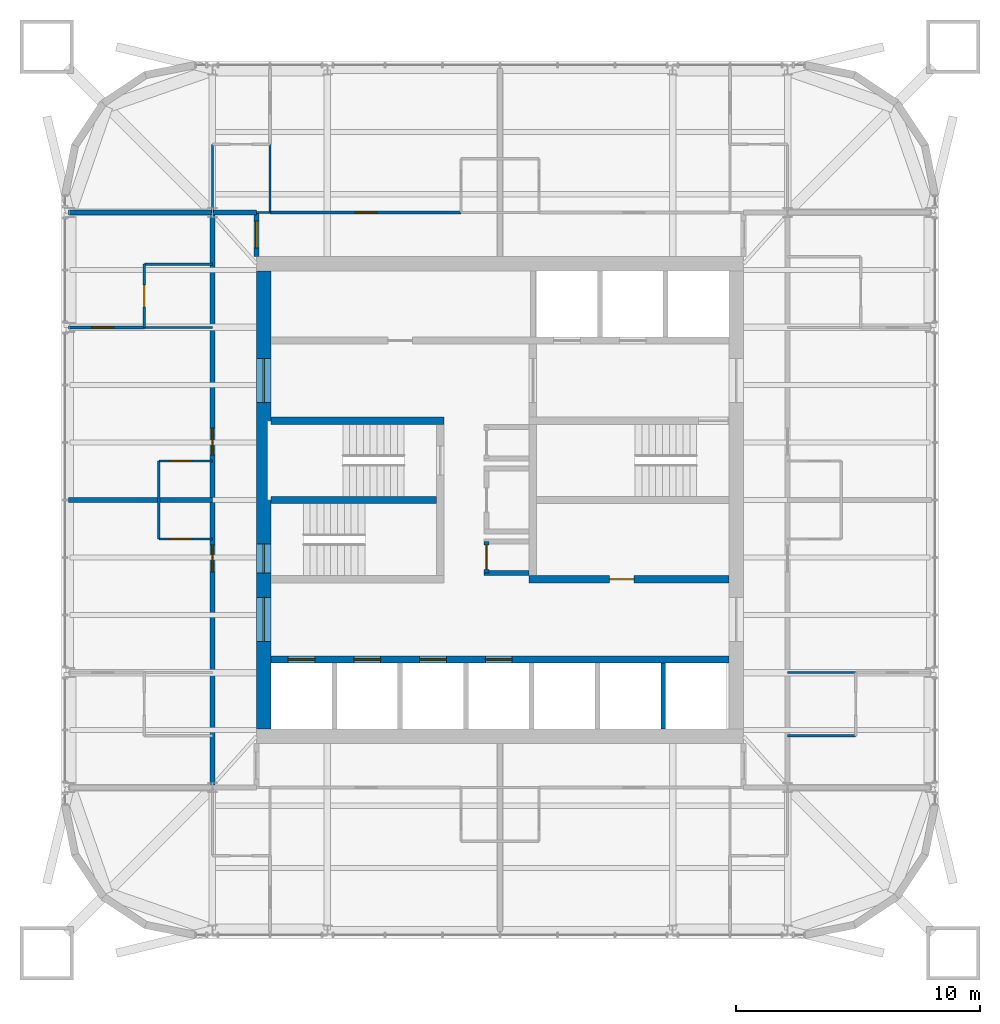
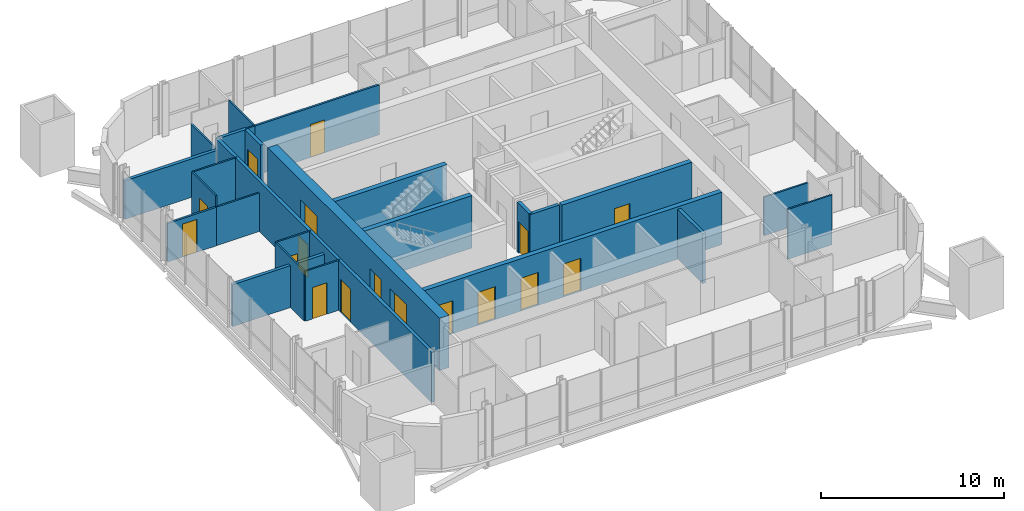
# One storey, part 13 of 16: 26 walls, 17 doors, 17 openings.
"""IFC4 building model written with IfcOpenShell, lengths in metres."""

from ifc_helpers import new_model, si_unit, direction, frame, frame_2d, origin, place, context, subcontext, project, spatial, rectangle, extrude, material, layer, layer_set, type_object, element, fill, save


model = new_model("IFC4")

# Units and contexts
model_context = context("Model", 3, precision=1e-05, world=origin(), true_north=direction((0.0, 1.0)))
body_context = subcontext(model_context, "Body", "Model", "MODEL_VIEW")
ifc_project = project(units=[si_unit("LENGTHUNIT", "METRE"), si_unit("AREAUNIT", "SQUARE_METRE"), si_unit("VOLUMEUNIT", "CUBIC_METRE"), si_unit("PLANEANGLEUNIT", "RADIAN"), si_unit("MASSUNIT", "GRAM", prefix="KILO")], contexts=[model_context])

# Site, building, storey
site_placement = place(None, origin())
site = spatial("IfcSite", under=ifc_project, at=site_placement, CompositionType="ELEMENT")
building_placement = place(site_placement, origin())
building = spatial("IfcBuilding", under=site, at=building_placement, Name="Turquesa Mirador Hotel Tower", CompositionType="ELEMENT")
storey_placement = place(building_placement, frame((0.0, 0.0, 230.199951171875)))
storey = spatial("IfcBuildingStorey", under=building, at=storey_placement, Name="L62", CompositionType="ELEMENT", Elevation=230.199951171875)

# Wall, opening, door
ifc_material_1 = material(Name="Gypsum board on steel studs", Category="steel")
ifc_layer_1 = layer(ifc_material_1, 0.10009765625)
ifc_layer_set_1 = layer_set([ifc_layer_1], Name="BATHROOM WALL 100")
wall_type_1 = type_object("IfcWallType", Name="BATHROOM WALL 100", PredefinedType="PARTITIONING", material=ifc_layer_set_1)
wall_1_placement = place(storey_placement, frame((41.0, 43.39990234375, 0.0), z_axis=(0.0, 0.0, 1.0), x_axis=(1.0, 0.0, 0.0)))
wall_1 = element("IfcWall", 1, at=wall_1_placement, inside=storey, type_object=wall_type_1, Name="Partition L62 001", PredefinedType="PARTITIONING", context=body_context, shape_type="SweptSolid", body=[
    extrude(rectangle(XDim=2.199951171875, YDim=0.10009765625, at=frame_2d((1.10009765625, 0.0))), origin(), (0.0, 0.0, 1.0), 3.330078125),
])
opening_1_placement = place(wall_1_placement, frame((0.449951171875, 0.0, 0.0)))
opening_1 = element("IfcOpeningElement", 2, at=opening_1_placement, cuts=wall_1, Name="Opening D06", PredefinedType="OPENING", context=body_context, shape_type="SweptSolid", body=[
    extrude(rectangle(XDim=0.89990234375, YDim=2.10009765625, at=frame_2d((0.449951171875, 1.050048828125))), frame((0.0, 0.06005859375, 0.0), z_axis=(0.0, -1.0, 0.0), x_axis=(1.0, 0.0, 0.0)), (0.0, 0.0, 1.0), 0.1201171875),
])
ifc_material_2 = material(Name="Laminate door", Category="wood")
door_type_1 = type_object("IfcDoorType", Name="DOOR 900X2100 WC", OperationType="SINGLE_SWING_LEFT", PredefinedType="DOOR", material=ifc_material_2)
door_1_placement = place(opening_1_placement, origin())
door_1 = element("IfcDoor", 3, at=door_1_placement, inside=storey, type_object=door_type_1, Name="Door 6207W", OperationType="SINGLE_SWING_LEFT", OverallHeight=2.10009765625, OverallWidth=0.89990234375, PredefinedType="DOOR", context=body_context, shape_type="SweptSolid", body=[
    extrude(rectangle(XDim=0.89990234375, YDim=2.10009765625, at=frame_2d((0.449951171875, 1.050048828125))), frame((0.0, 0.02490234375, 0.0), z_axis=(0.0, -1.0, 0.0), x_axis=(1.0, 0.0, 0.0)), (0.0, 0.0, 1.0), 0.050048828125),
])
fill(opening_1, door_1)

# Walls
wall_2_placement = place(storey_placement, frame((66.800048828125, 37.919921875, 0.0), z_axis=(0.0, 0.0, 1.0), x_axis=(1.0, 0.0, 0.0)))
element("IfcWall", 4, at=wall_2_placement, inside=storey, type_object=wall_type_1, Name="Partition L62 016", PredefinedType="PARTITIONING", context=body_context, shape_type="SweptSolid", body=[
    extrude(rectangle(XDim=2.800048828125, YDim=0.10009765625, at=frame_2d((1.39990234375, 0.0))), origin(), (0.0, 0.0, 1.0), 2.5732421875),
])
wall_3_placement = place(storey_placement, frame((66.800048828125, 35.320068359375, 0.0), z_axis=(0.0, 0.0, 1.0), x_axis=(1.0, 0.0, 0.0)))
element("IfcWall", 5, at=wall_3_placement, inside=storey, type_object=wall_type_1, Name="Partition L62 020", PredefinedType="PARTITIONING", context=body_context, shape_type="SweptSolid", body=[
    extrude(rectangle(XDim=2.800048828125, YDim=0.10009765625, at=frame_2d((1.39990234375, 0.0))), origin(), (0.0, 0.0, 1.0), 3.330078125),
])

# Wall, opening, door
wall_4_placement = place(storey_placement, frame((41.0, 46.60009765625, 0.0), z_axis=(0.0, 0.0, 1.0), x_axis=(1.0, 0.0, 0.0)))
wall_4 = element("IfcWall", 6, at=wall_4_placement, inside=storey, type_object=wall_type_1, Name="Partition L62 023", PredefinedType="PARTITIONING", context=body_context, shape_type="SweptSolid", body=[
    extrude(rectangle(XDim=2.199951171875, YDim=0.10009765625, at=frame_2d((1.10009765625, 0.0))), origin(), (0.0, 0.0, 1.0), 3.330078125),
])
opening_2_placement = place(wall_4_placement, frame((0.449951171875, 0.0, 0.0)))
opening_2 = element("IfcOpeningElement", 7, at=opening_2_placement, cuts=wall_4, Name="Opening D06", PredefinedType="OPENING", context=body_context, shape_type="SweptSolid", body=[
    extrude(rectangle(XDim=0.89990234375, YDim=2.10009765625, at=frame_2d((0.449951171875, 1.050048828125))), frame((0.0, 0.06005859375, 0.0), z_axis=(0.0, -1.0, 0.0), x_axis=(1.0, 0.0, 0.0)), (0.0, 0.0, 1.0), 0.1201171875),
])
door_2_placement = place(opening_2_placement, origin())
door_2 = element("IfcDoor", 8, at=door_2_placement, inside=storey, type_object=door_type_1, Name="Door 6208W", OperationType="SINGLE_SWING_LEFT", OverallHeight=2.10009765625, OverallWidth=0.89990234375, PredefinedType="DOOR", context=body_context, shape_type="SweptSolid", body=[
    extrude(rectangle(XDim=0.89990234375, YDim=2.10009765625, at=frame_2d((0.449951171875, 1.050048828125))), frame((0.0, 0.02490234375, 0.0), z_axis=(0.0, -1.0, 0.0), x_axis=(1.0, 0.0, 0.0)), (0.0, 0.0, 1.0), 0.050048828125),
])
fill(opening_2, door_2)

# Walls
wall_5_placement = place(storey_placement, frame((45.0, 56.800048828125, 0.0), z_axis=(0.0, 0.0, 1.0), x_axis=(1.0, 0.0, 0.0)))
element("IfcWall", 9, at=wall_5_placement, inside=storey, type_object=wall_type_1, Name="Partition L62 025", PredefinedType="PARTITIONING", context=body_context, shape_type="SweptSolid", body=[
    extrude(rectangle(XDim=0.56005859375, YDim=0.10009765625, at=frame_2d((0.280029296875, 0.0))), origin(), (0.0, 0.0, 1.0), 3.330078125),
])
wall_6_placement = place(storey_placement, frame((40.39990234375, 52.080078125, 0.0), z_axis=(0.0, 0.0, 1.0), x_axis=(1.0, 0.0, 0.0)))
element("IfcWall", 10, at=wall_6_placement, inside=storey, type_object=wall_type_1, Name="Partition L62 037", PredefinedType="PARTITIONING", context=body_context, shape_type="SweptSolid", body=[
    extrude(rectangle(XDim=2.800048828125, YDim=0.10009765625, at=frame_2d((1.39990234375, 0.0))), origin(), (0.0, 0.0, 1.0), 2.5732421875),
])
wall_7_placement = place(storey_placement, frame((40.39990234375, 54.679931640625, 0.0), z_axis=(0.0, 0.0, 1.0), x_axis=(1.0, 0.0, 0.0)))
element("IfcWall", 11, at=wall_7_placement, inside=storey, type_object=wall_type_1, Name="Partition L62 041", PredefinedType="PARTITIONING", context=body_context, shape_type="SweptSolid", body=[
    extrude(rectangle(XDim=2.800048828125, YDim=0.10009765625, at=frame_2d((1.39990234375, 0.0))), origin(), (0.0, 0.0, 1.0), 3.330078125),
])
wall_8_placement = place(storey_placement, frame((43.199951171875, 56.800048828125, 0.0), z_axis=(0.0, 0.0, 1.0), x_axis=(0.0, 1.0, 0.0)))
element("IfcWall", 12, at=wall_8_placement, inside=storey, type_object=wall_type_1, Name="Partition L62 048", PredefinedType="PARTITIONING", context=body_context, shape_type="SweptSolid", body=[
    extrude(rectangle(XDim=2.800048828125, YDim=0.10009765625, at=frame_2d((1.39990234375, 0.0))), origin(), (0.0, 0.0, 1.0), 2.5732421875),
])
wall_9_placement = place(storey_placement, frame((41.0, 43.39990234375, 0.0), z_axis=(0.0, 0.0, 1.0), x_axis=(0.0, 1.0, 0.0)))
element("IfcWall", 13, at=wall_9_placement, inside=storey, type_object=wall_type_1, Name="Partition L62 050", PredefinedType="PARTITIONING", context=body_context, shape_type="SweptSolid", body=[
    extrude(rectangle(XDim=3.2001953125, YDim=0.10009765625, at=frame_2d((1.60009765625, 0.0))), origin(), (0.0, 0.0, 1.0), 3.330078125),
])

# Wall, opening, door
wall_10_placement = place(storey_placement, frame((40.39990234375, 52.080078125, 0.0), z_axis=(0.0, 0.0, 1.0), x_axis=(0.0, 1.0, 0.0)))
wall_10 = element("IfcWall", 14, at=wall_10_placement, inside=storey, type_object=wall_type_1, Name="Partition L62 052", PredefinedType="PARTITIONING", context=body_context, shape_type="SweptSolid", body=[
    extrude(rectangle(XDim=2.599853515625, YDim=0.10009765625, at=frame_2d((1.2998046875, 0.0))), origin(), (0.0, 0.0, 1.0), 3.330078125),
])
opening_3_placement = place(wall_10_placement, frame((0.85009765625, 0.0, 0.0)))
opening_3 = element("IfcOpeningElement", 15, at=opening_3_placement, cuts=wall_10, Name="Opening D02", PredefinedType="OPENING", context=body_context, shape_type="SweptSolid", body=[
    extrude(rectangle(XDim=0.89990234375, YDim=2.10009765625, at=frame_2d((0.449951171875, 1.050048828125))), frame((0.0, 0.06005859375, 0.0), z_axis=(0.0, -1.0, 0.0), x_axis=(1.0, 0.0, 0.0)), (0.0, 0.0, 1.0), 0.1201171875),
])
ifc_material_3 = material(Name="Timber veneered door", Category="wood")
door_type_2 = type_object("IfcDoorType", Name="DOOR 900X2100 EN-SUITE", OperationType="SINGLE_SWING_RIGHT", PredefinedType="DOOR", material=ifc_material_3)
door_3_placement = place(opening_3_placement, origin())
door_3 = element("IfcDoor", 16, at=door_3_placement, inside=storey, type_object=door_type_2, Name="Door 6208B", OperationType="SINGLE_SWING_RIGHT", OverallHeight=2.10009765625, OverallWidth=0.89990234375, PredefinedType="DOOR", context=body_context, shape_type="SweptSolid", body=[
    extrude(rectangle(XDim=0.89990234375, YDim=2.10009765625, at=frame_2d((0.449951171875, 1.050048828125))), frame((0.0, 0.02490234375, 0.0), z_axis=(0.0, -1.0, 0.0), x_axis=(1.0, 0.0, 0.0)), (0.0, 0.0, 1.0), 0.050048828125),
])
fill(opening_3, door_3)

# Wall
wall_11_placement = place(storey_placement, frame((45.56005859375, 56.800048828125, 0.0), z_axis=(0.0, 0.0, 1.0), x_axis=(0.0, 1.0, 0.0)))
element("IfcWall", 17, at=wall_11_placement, inside=storey, type_object=wall_type_1, Name="Partition L62 054", PredefinedType="PARTITIONING", context=body_context, shape_type="SweptSolid", body=[
    extrude(rectangle(XDim=2.800048828125, YDim=0.10009765625, at=frame_2d((1.39990234375, 0.0))), origin(), (0.0, 0.0, 1.0), 3.330078125),
])

# Wall, openings, doors
ifc_material_4 = material(Name="Concrete C50/60", Category="concrete")
ifc_layer_2 = layer(ifc_material_4, 0.300048828125)
ifc_layer_set_2 = layer_set([ifc_layer_2], Name="CORE INNER WALL 300")
wall_type_2 = type_object("IfcWallType", Name="CORE INNER WALL 300", PredefinedType="SHEAR", material=ifc_layer_set_2)
wall_12_placement = place(storey_placement, frame((45.60009765625, 38.449951171875, 0.0), z_axis=(0.0, 0.0, 1.0), x_axis=(1.0, 0.0, 0.0)))
wall_12 = element("IfcWall", 18, at=wall_12_placement, inside=storey, type_object=wall_type_2, Name="Core wall SL", PredefinedType="SHEAR", context=body_context, shape_type="SweptSolid", body=[
    extrude(rectangle(XDim=18.7998046875, YDim=0.300048828125, at=frame_2d((9.39990234375, 0.0))), origin(), (0.0, 0.0, 1.0), 3.5),
])
opening_4_placement = place(wall_12_placement, frame((0.699951171875, 0.0, 0.0)))
opening_4 = element("IfcOpeningElement", 19, at=opening_4_placement, cuts=wall_12, Name="Opening LD", PredefinedType="OPENING", context=body_context, shape_type="SweptSolid", body=[
    extrude(rectangle(XDim=1.10009765625, YDim=2.199951171875, at=frame_2d((0.550048828125, 1.10009765625))), frame((0.0, 0.159912109375, 0.0), z_axis=(0.0, -1.0, 0.0), x_axis=(1.0, 0.0, 0.0)), (0.0, 0.0, 1.0), 0.320068359375),
])
opening_5_placement = place(wall_12_placement, frame((3.39990234375, 0.0, 0.0)))
opening_5 = element("IfcOpeningElement", 20, at=opening_5_placement, cuts=wall_12, Name="Opening LD", PredefinedType="OPENING", context=body_context, shape_type="SweptSolid", body=[
    extrude(rectangle(XDim=1.10009765625, YDim=2.199951171875, at=frame_2d((0.550048828125, 1.10009765625))), frame((0.0, 0.159912109375, 0.0), z_axis=(0.0, -1.0, 0.0), x_axis=(1.0, 0.0, 0.0)), (0.0, 0.0, 1.0), 0.320068359375),
])
opening_6_placement = place(wall_12_placement, frame((6.10009765625, 0.0, 0.0)))
opening_6 = element("IfcOpeningElement", 21, at=opening_6_placement, cuts=wall_12, Name="Opening LD", PredefinedType="OPENING", context=body_context, shape_type="SweptSolid", body=[
    extrude(rectangle(XDim=1.10009765625, YDim=2.199951171875, at=frame_2d((0.550048828125, 1.10009765625))), frame((0.0, 0.159912109375, 0.0), z_axis=(0.0, -1.0, 0.0), x_axis=(1.0, 0.0, 0.0)), (0.0, 0.0, 1.0), 0.320068359375),
])
opening_7_placement = place(wall_12_placement, frame((8.800048828125, 0.0, 0.0)))
opening_7 = element("IfcOpeningElement", 22, at=opening_7_placement, cuts=wall_12, Name="Opening LD", PredefinedType="OPENING", context=body_context, shape_type="SweptSolid", body=[
    extrude(rectangle(XDim=1.10009765625, YDim=2.199951171875, at=frame_2d((0.550048828125, 1.10009765625))), frame((0.0, 0.159912109375, 0.0), z_axis=(0.0, -1.0, 0.0), x_axis=(1.0, 0.0, 0.0)), (0.0, 0.0, 1.0), 0.320068359375),
])
ifc_material_5 = material(Name="Stainless steel lift landing door", Category="steel")
door_type_3 = type_object("IfcDoorType", Name="LIFT LANDING DOOR 1100X2200", OperationType="SLIDING_TO_LEFT", PredefinedType="DOOR", material=ifc_material_5)
door_4_placement = place(opening_4_placement, origin())
door_4 = element("IfcDoor", 23, at=door_4_placement, inside=storey, type_object=door_type_3, Name="Lift B1 landing door", OperationType="SLIDING_TO_LEFT", OverallHeight=2.199951171875, OverallWidth=1.10009765625, PredefinedType="DOOR", context=body_context, shape_type="SweptSolid", body=[
    extrude(rectangle(XDim=1.10009765625, YDim=2.199951171875, at=frame_2d((0.550048828125, 1.10009765625))), frame((0.0, 0.02490234375, 0.0), z_axis=(0.0, -1.0, 0.0), x_axis=(1.0, 0.0, 0.0)), (0.0, 0.0, 1.0), 0.050048828125),
])
fill(opening_4, door_4)
door_5_placement = place(opening_5_placement, origin())
door_5 = element("IfcDoor", 24, at=door_5_placement, inside=storey, type_object=door_type_3, Name="Lift B2 landing door", OperationType="SLIDING_TO_LEFT", OverallHeight=2.199951171875, OverallWidth=1.10009765625, PredefinedType="DOOR", context=body_context, shape_type="SweptSolid", body=[
    extrude(rectangle(XDim=1.10009765625, YDim=2.199951171875, at=frame_2d((0.550048828125, 1.10009765625))), frame((0.0, 0.02490234375, 0.0), z_axis=(0.0, -1.0, 0.0), x_axis=(1.0, 0.0, 0.0)), (0.0, 0.0, 1.0), 0.050048828125),
])
fill(opening_5, door_5)
door_6_placement = place(opening_6_placement, origin())
door_6 = element("IfcDoor", 25, at=door_6_placement, inside=storey, type_object=door_type_3, Name="Lift B3 landing door", OperationType="SLIDING_TO_LEFT", OverallHeight=2.199951171875, OverallWidth=1.10009765625, PredefinedType="DOOR", context=body_context, shape_type="SweptSolid", body=[
    extrude(rectangle(XDim=1.10009765625, YDim=2.199951171875, at=frame_2d((0.550048828125, 1.10009765625))), frame((0.0, 0.02490234375, 0.0), z_axis=(0.0, -1.0, 0.0), x_axis=(1.0, 0.0, 0.0)), (0.0, 0.0, 1.0), 0.050048828125),
])
fill(opening_6, door_6)
door_7_placement = place(opening_7_placement, origin())
door_7 = element("IfcDoor", 26, at=door_7_placement, inside=storey, type_object=door_type_3, Name="Lift B4 landing door", OperationType="SLIDING_TO_LEFT", OverallHeight=2.199951171875, OverallWidth=1.10009765625, PredefinedType="DOOR", context=body_context, shape_type="SweptSolid", body=[
    extrude(rectangle(XDim=1.10009765625, YDim=2.199951171875, at=frame_2d((0.550048828125, 1.10009765625))), frame((0.0, 0.02490234375, 0.0), z_axis=(0.0, -1.0, 0.0), x_axis=(1.0, 0.0, 0.0)), (0.0, 0.0, 1.0), 0.050048828125),
])
fill(opening_7, door_7)

# Wall
wall_13_placement = place(storey_placement, frame((45.60009765625, 48.25, 0.0), z_axis=(0.0, 0.0, 1.0), x_axis=(1.0, 0.0, 0.0)))
element("IfcWall", 27, at=wall_13_placement, inside=storey, type_object=wall_type_2, Name="Core wall MN-W", PredefinedType="SHEAR", context=body_context, shape_type="SweptSolid", body=[
    extrude(rectangle(XDim=7.099853515625, YDim=0.300048828125, at=frame_2d((3.5498046875, 0.0))), origin(), (0.0, 0.0, 1.0), 3.5),
])

# Wall, opening, door
wall_14_placement = place(storey_placement, frame((56.199951171875, 41.75, 0.0), z_axis=(0.0, 0.0, 1.0), x_axis=(1.0, 0.0, 0.0)))
wall_14 = element("IfcWall", 28, at=wall_14_placement, inside=storey, type_object=wall_type_2, Name="Core wall MS-E", PredefinedType="SHEAR", context=body_context, shape_type="SweptSolid", body=[
    extrude(rectangle(XDim=8.199951171875, YDim=0.300048828125, at=frame_2d((4.10009765625, 0.0))), origin(), (0.0, 0.0, 1.0), 3.5),
])
opening_8_placement = place(wall_14_placement, frame((3.300048828125, 0.0, 0.0)))
opening_8 = element("IfcOpeningElement", 29, at=opening_8_placement, cuts=wall_14, Name="Opening D05", PredefinedType="OPENING", context=body_context, shape_type="SweptSolid", body=[
    extrude(rectangle(XDim=1.0, YDim=2.10009765625, at=frame_2d((0.5, 1.050048828125))), frame((0.0, 0.159912109375, 0.0), z_axis=(0.0, -1.0, 0.0), x_axis=(1.0, 0.0, 0.0)), (0.0, 0.0, 1.0), 0.320068359375),
])
ifc_material_6 = material(Name="Steel fire door", Category="steel")
door_type_4 = type_object("IfcDoorType", Name="DOOR 1000X2100 SERVICE", OperationType="SINGLE_SWING_LEFT", PredefinedType="DOOR", material=ifc_material_6)
door_8_placement = place(opening_8_placement, origin())
door_8 = element("IfcDoor", 30, at=door_8_placement, inside=storey, type_object=door_type_4, Name="Housekeeping room door", OperationType="SINGLE_SWING_LEFT", OverallHeight=2.10009765625, OverallWidth=1.0, PredefinedType="DOOR", context=body_context, shape_type="SweptSolid", body=[
    extrude(rectangle(XDim=1.0, YDim=2.10009765625, at=frame_2d((0.5, 1.050048828125))), frame((0.0, 0.02490234375, 0.0), z_axis=(0.0, -1.0, 0.0), x_axis=(1.0, 0.0, 0.0)), (0.0, 0.0, 1.0), 0.050048828125),
])
fill(opening_8, door_8)

# Wall
wall_15_placement = place(storey_placement, frame((45.60009765625, 45.0, 0.0), z_axis=(0.0, 0.0, 1.0), x_axis=(1.0, 0.0, 0.0)))
element("IfcWall", 31, at=wall_15_placement, inside=storey, type_object=wall_type_2, Name="Core wall M0-W", PredefinedType="SHEAR", context=body_context, shape_type="SweptSolid", body=[
    extrude(rectangle(XDim=6.7998046875, YDim=0.300048828125, at=frame_2d((3.39990234375, 0.0))), origin(), (0.0, 0.0, 1.0), 3.5),
])

# Wall, openings, doors
ifc_material_7 = material(Name="Concrete C50/60", Category="concrete")
ifc_layer_3 = layer(ifc_material_7, 0.60009765625)
ifc_layer_set_3 = layer_set([ifc_layer_3], Name="CORE WALL 600")
wall_type_3 = type_object("IfcWallType", Name="CORE WALL 600", PredefinedType="SHEAR", material=ifc_layer_set_3)
wall_16_placement = place(storey_placement, frame((45.300048828125, 35.60009765625, 0.0), z_axis=(0.0, 0.0, 1.0), x_axis=(0.0, 1.0, 0.0)))
wall_16 = element("IfcWall", 32, at=wall_16_placement, inside=storey, type_object=wall_type_3, Name="Core wall W", PredefinedType="SHEAR", context=body_context, shape_type="SweptSolid", body=[
    extrude(rectangle(XDim=18.7998046875, YDim=0.60009765625, at=frame_2d((9.39990234375, 0.0))), origin(), (0.0, 0.0, 1.0), 3.5),
])
opening_9_placement = place(wall_16_placement, frame((13.39990234375, 0.0, 0.0)))
opening_9 = element("IfcOpeningElement", 33, at=opening_9_placement, cuts=wall_16, Name="Opening D04", PredefinedType="OPENING", context=body_context, shape_type="SweptSolid", body=[
    extrude(rectangle(XDim=1.800048828125, YDim=2.199951171875, at=frame_2d((0.89990234375, 1.10009765625))), frame((0.0, 0.31005859375, 0.0), z_axis=(0.0, -1.0, 0.0), x_axis=(1.0, 0.0, 0.0)), (0.0, 0.0, 1.0), 0.6201171875),
])
opening_10_placement = place(wall_16_placement, frame((3.60009765625, 0.0, 0.0)))
opening_10 = element("IfcOpeningElement", 34, at=opening_10_placement, cuts=wall_16, Name="Opening D04", PredefinedType="OPENING", context=body_context, shape_type="SweptSolid", body=[
    extrude(rectangle(XDim=1.800048828125, YDim=2.199951171875, at=frame_2d((0.89990234375, 1.10009765625))), frame((0.0, 0.31005859375, 0.0), z_axis=(0.0, -1.0, 0.0), x_axis=(1.0, 0.0, 0.0)), (0.0, 0.0, 1.0), 0.6201171875),
])
opening_11_placement = place(wall_16_placement, frame((6.39990234375, 0.0, 0.0)))
opening_11 = element("IfcOpeningElement", 35, at=opening_11_placement, cuts=wall_16, Name="Opening D03", PredefinedType="OPENING", context=body_context, shape_type="SweptSolid", body=[
    extrude(rectangle(XDim=1.199951171875, YDim=2.199951171875, at=frame_2d((0.60009765625, 1.10009765625))), frame((0.0, 0.31005859375, 0.0), z_axis=(0.0, -1.0, 0.0), x_axis=(1.0, 0.0, 0.0)), (0.0, 0.0, 1.0), 0.6201171875),
])
ifc_material_8 = material(Name="Steel fire door", Category="steel")
door_type_5 = type_object("IfcDoorType", Name="DOOR 1200X2200 STAIR", OperationType="SINGLE_SWING_LEFT", PredefinedType="DOOR", material=ifc_material_8)
door_9_placement = place(opening_11_placement, origin())
door_9 = element("IfcDoor", 36, at=door_9_placement, inside=storey, type_object=door_type_5, Name="Stair ST2 door", OperationType="SINGLE_SWING_LEFT", OverallHeight=2.199951171875, OverallWidth=1.199951171875, PredefinedType="DOOR", context=body_context, shape_type="SweptSolid", body=[
    extrude(rectangle(XDim=1.199951171875, YDim=2.199951171875, at=frame_2d((0.60009765625, 1.10009765625))), frame((0.0, 0.02490234375, 0.0), z_axis=(0.0, -1.0, 0.0), x_axis=(1.0, 0.0, 0.0)), (0.0, 0.0, 1.0), 0.050048828125),
])
fill(opening_11, door_9)
ifc_material_9 = material(Name="Steel fire door pair", Category="steel")
door_type_6 = type_object("IfcDoorType", Name="DOOR 1800X2200 PAIR", OperationType="DOUBLE_DOOR_SINGLE_SWING", PredefinedType="DOOR", material=ifc_material_9)
door_10_placement = place(opening_9_placement, origin())
door_10 = element("IfcDoor", 37, at=door_10_placement, inside=storey, type_object=door_type_6, Name="North lift lobby door", OperationType="DOUBLE_DOOR_SINGLE_SWING", OverallHeight=2.199951171875, OverallWidth=1.800048828125, PredefinedType="DOOR", context=body_context, shape_type="SweptSolid", body=[
    extrude(rectangle(XDim=1.800048828125, YDim=2.199951171875, at=frame_2d((0.89990234375, 1.10009765625))), frame((0.0, 0.02490234375, 0.0), z_axis=(0.0, -1.0, 0.0), x_axis=(1.0, 0.0, 0.0)), (0.0, 0.0, 1.0), 0.050048828125),
])
fill(opening_9, door_10)
door_11_placement = place(opening_10_placement, origin())
door_11 = element("IfcDoor", 38, at=door_11_placement, inside=storey, type_object=door_type_6, Name="South lift lobby door", OperationType="DOUBLE_DOOR_SINGLE_SWING", OverallHeight=2.199951171875, OverallWidth=1.800048828125, PredefinedType="DOOR", context=body_context, shape_type="SweptSolid", body=[
    extrude(rectangle(XDim=1.800048828125, YDim=2.199951171875, at=frame_2d((0.89990234375, 1.10009765625))), frame((0.0, 0.02490234375, 0.0), z_axis=(0.0, -1.0, 0.0), x_axis=(1.0, 0.0, 0.0)), (0.0, 0.0, 1.0), 0.050048828125),
])
fill(opening_10, door_11)

# Wall
ifc_material_10 = material(Name="Fire-rated gypsum board on steel studs", Category="steel")
ifc_layer_4 = layer(ifc_material_10, 0.199951171875)
ifc_layer_set_4 = layer_set([ifc_layer_4], Name="CORRIDOR WALL 200")
wall_type_4 = type_object("IfcWallType", Name="CORRIDOR WALL 200", PredefinedType="PARTITIONING", material=ifc_layer_set_4)
wall_17_placement = place(storey_placement, frame((43.199951171875, 56.800048828125, 0.0), z_axis=(0.0, 0.0, 1.0), x_axis=(1.0, 0.0, 0.0)))
element("IfcWall", 39, at=wall_17_placement, inside=storey, type_object=wall_type_4, Name="Partition L62 028", PredefinedType="PARTITIONING", context=body_context, shape_type="SweptSolid", body=[
    extrude(rectangle(XDim=1.800048828125, YDim=0.199951171875, at=frame_2d((0.89990234375, 0.0))), origin(), (0.0, 0.0, 1.0), 3.330078125),
])

# Wall, opening, door
wall_18_placement = place(storey_placement, frame((45.0, 55.0, 0.0), z_axis=(0.0, 0.0, 1.0), x_axis=(0.0, 1.0, 0.0)))
wall_18 = element("IfcWall", 40, at=wall_18_placement, inside=storey, type_object=wall_type_4, Name="Partition L62 046", PredefinedType="PARTITIONING", context=body_context, shape_type="SweptSolid", body=[
    extrude(rectangle(XDim=1.800048828125, YDim=0.199951171875, at=frame_2d((0.89990234375, 0.0))), origin(), (0.0, 0.0, 1.0), 3.330078125),
])
opening_12_placement = place(wall_18_placement, frame((0.35009765625, 0.0, 0.0)))
opening_12 = element("IfcOpeningElement", 41, at=opening_12_placement, cuts=wall_18, Name="Opening D15", PredefinedType="OPENING", context=body_context, shape_type="SweptSolid", body=[
    extrude(rectangle(XDim=1.10009765625, YDim=2.199951171875, at=frame_2d((0.550048828125, 1.10009765625))), frame((0.0, 0.10986328125, 0.0), z_axis=(0.0, -1.0, 0.0), x_axis=(1.0, 0.0, 0.0)), (0.0, 0.0, 1.0), 0.219970703125),
])
ifc_material_11 = material(Name="Timber veneered fire door", Category="wood")
door_type_7 = type_object("IfcDoorType", Name="DOOR 1100X2200 SUITE ENTRY", OperationType="SINGLE_SWING_LEFT", PredefinedType="DOOR", material=ifc_material_11)
door_12_placement = place(opening_12_placement, origin())
door_12 = element("IfcDoor", 42, at=door_12_placement, inside=storey, type_object=door_type_7, Name="Door 6201G", OperationType="SINGLE_SWING_LEFT", OverallHeight=2.199951171875, OverallWidth=1.10009765625, PredefinedType="DOOR", context=body_context, shape_type="SweptSolid", body=[
    extrude(rectangle(XDim=1.10009765625, YDim=2.199951171875, at=frame_2d((0.550048828125, 1.10009765625))), frame((0.0, 0.02490234375, 0.0), z_axis=(0.0, -1.0, 0.0), x_axis=(1.0, 0.0, 0.0)), (0.0, 0.0, 1.0), 0.050048828125),
])
fill(opening_12, door_12)

# Wall, openings, doors
wall_19_placement = place(storey_placement, frame((43.199951171875, 33.199951171875, 0.0), z_axis=(0.0, 0.0, 1.0), x_axis=(0.0, 1.0, 0.0)))
wall_19 = element("IfcWall", 43, at=wall_19_placement, inside=storey, type_object=wall_type_4, Name="Partition L62 049", PredefinedType="PARTITIONING", context=body_context, shape_type="SweptSolid", body=[
    extrude(rectangle(XDim=23.60009765625, YDim=0.199951171875, at=frame_2d((11.800048828125, 0.0))), origin(), (0.0, 0.0, 1.0), 3.330078125),
])
opening_13_placement = place(wall_19_placement, frame((8.85009765625, 0.0, 0.0)))
opening_13 = element("IfcOpeningElement", 44, at=opening_13_placement, cuts=wall_19, Name="Opening D15", PredefinedType="OPENING", context=body_context, shape_type="SweptSolid", body=[
    extrude(rectangle(XDim=1.10009765625, YDim=2.199951171875, at=frame_2d((0.550048828125, 1.10009765625))), frame((0.0, 0.10986328125, 0.0), z_axis=(0.0, -1.0, 0.0), x_axis=(1.0, 0.0, 0.0)), (0.0, 0.0, 1.0), 0.219970703125),
])
opening_14_placement = place(wall_19_placement, frame((13.64990234375, 0.0, 0.0)))
opening_14 = element("IfcOpeningElement", 45, at=opening_14_placement, cuts=wall_19, Name="Opening D15", PredefinedType="OPENING", context=body_context, shape_type="SweptSolid", body=[
    extrude(rectangle(XDim=1.10009765625, YDim=2.199951171875, at=frame_2d((0.550048828125, 1.10009765625))), frame((0.0, 0.10986328125, 0.0), z_axis=(0.0, -1.0, 0.0), x_axis=(1.0, 0.0, 0.0)), (0.0, 0.0, 1.0), 0.219970703125),
])
door_13_placement = place(opening_13_placement, origin())
door_13 = element("IfcDoor", 46, at=door_13_placement, inside=storey, type_object=door_type_7, Name="Door 6207", OperationType="SINGLE_SWING_LEFT", OverallHeight=2.199951171875, OverallWidth=1.10009765625, PredefinedType="DOOR", context=body_context, shape_type="SweptSolid", body=[
    extrude(rectangle(XDim=1.10009765625, YDim=2.199951171875, at=frame_2d((0.550048828125, 1.10009765625))), frame((0.0, 0.02490234375, 0.0), z_axis=(0.0, -1.0, 0.0), x_axis=(1.0, 0.0, 0.0)), (0.0, 0.0, 1.0), 0.050048828125),
])
fill(opening_13, door_13)
door_14_placement = place(opening_14_placement, origin())
door_14 = element("IfcDoor", 47, at=door_14_placement, inside=storey, type_object=door_type_7, Name="Door 6208", OperationType="SINGLE_SWING_LEFT", OverallHeight=2.199951171875, OverallWidth=1.10009765625, PredefinedType="DOOR", context=body_context, shape_type="SweptSolid", body=[
    extrude(rectangle(XDim=1.10009765625, YDim=2.199951171875, at=frame_2d((0.550048828125, 1.10009765625))), frame((0.0, 0.02490234375, 0.0), z_axis=(0.0, -1.0, 0.0), x_axis=(1.0, 0.0, 0.0)), (0.0, 0.0, 1.0), 0.050048828125),
])
fill(opening_14, door_14)

# Wall, opening, door
ifc_material_12 = material(Name="Fire-rated gypsum board on steel studs", Category="steel")
ifc_layer_5 = layer(ifc_material_12, 0.199951171875)
ifc_layer_set_5 = layer_set([ifc_layer_5], Name="FIRE PARTITION 200")
wall_type_5 = type_object("IfcWallType", Name="FIRE PARTITION 200", PredefinedType="PARTITIONING", material=ifc_layer_set_5)
wall_20_placement = place(storey_placement, frame((54.449951171875, 42.0, 0.0), z_axis=(0.0, 0.0, 1.0), x_axis=(0.0, 1.0, 0.0)))
wall_20 = element("IfcWall", 48, at=wall_20_placement, inside=storey, type_object=wall_type_5, Name="Partition L62 VR W", PredefinedType="PARTITIONING", context=body_context, shape_type="SweptSolid", body=[
    extrude(rectangle(XDim=1.300048828125, YDim=0.199951171875, at=frame_2d((0.64990234375, 0.0))), origin(), (0.0, 0.0, 1.0), 3.330078125),
])
opening_15_placement = place(wall_20_placement, frame((0.14990234375, 0.0, 0.0)))
opening_15 = element("IfcOpeningElement", 49, at=opening_15_placement, cuts=wall_20, Name="Opening D05", PredefinedType="OPENING", context=body_context, shape_type="SweptSolid", body=[
    extrude(rectangle(XDim=1.0, YDim=2.10009765625, at=frame_2d((0.5, 1.050048828125))), frame((0.0, 0.10986328125, 0.0), z_axis=(0.0, -1.0, 0.0), x_axis=(1.0, 0.0, 0.0)), (0.0, 0.0, 1.0), 0.219970703125),
])
door_15_placement = place(opening_15_placement, origin())
door_15 = element("IfcDoor", 50, at=door_15_placement, inside=storey, type_object=door_type_4, Name="Valet room door", OperationType="SINGLE_SWING_LEFT", OverallHeight=2.10009765625, OverallWidth=1.0, PredefinedType="DOOR", context=body_context, shape_type="SweptSolid", body=[
    extrude(rectangle(XDim=1.0, YDim=2.10009765625, at=frame_2d((0.5, 1.050048828125))), frame((0.0, 0.02490234375, 0.0), z_axis=(0.0, -1.0, 0.0), x_axis=(1.0, 0.0, 0.0)), (0.0, 0.0, 1.0), 0.050048828125),
])
fill(opening_15, door_15)

# Walls
wall_21_placement = place(storey_placement, frame((54.35009765625, 42.0, 0.0), z_axis=(0.0, 0.0, 1.0), x_axis=(1.0, 0.0, 0.0)))
element("IfcWall", 51, at=wall_21_placement, inside=storey, type_object=wall_type_5, Name="Partition L62 VR S", PredefinedType="PARTITIONING", context=body_context, shape_type="SweptSolid", body=[
    extrude(rectangle(XDim=1.849853515625, YDim=0.199951171875, at=frame_2d((0.9248046875, 0.0))), origin(), (0.0, 0.0, 1.0), 3.330078125),
])
ifc_material_13 = material(Name="Fire-rated gypsum shaft wall on steel studs", Category="steel")
ifc_layer_6 = layer(ifc_material_13, 0.199951171875)
ifc_layer_set_6 = layer_set([ifc_layer_6], Name="LIFT SHAFT DIVIDER 200")
wall_type_6 = type_object("IfcWallType", Name="LIFT SHAFT DIVIDER 200", PredefinedType="PARTITIONING", material=ifc_layer_set_6)
wall_22_placement = place(storey_placement, frame((61.699951171875, 35.60009765625, 0.0), z_axis=(0.0, 0.0, 1.0), x_axis=(0.0, 1.0, 0.0)))
element("IfcWall", 52, at=wall_22_placement, inside=storey, type_object=wall_type_6, Name="Lift shaft divider", PredefinedType="PARTITIONING", context=body_context, shape_type="SweptSolid", body=[
    extrude(rectangle(XDim=2.699951171875, YDim=0.199951171875, at=frame_2d((1.35009765625, 0.0))), origin(), (0.0, 0.0, 1.0), 3.330078125),
])
ifc_material_14 = material(Name="Fire-rated gypsum board on steel studs", Category="steel")
ifc_layer_7 = layer(ifc_material_14, 0.199951171875)
ifc_layer_set_7 = layer_set([ifc_layer_7], Name="PARTY WALL 200")
wall_type_7 = type_object("IfcWallType", Name="PARTY WALL 200", PredefinedType="PARTITIONING", material=ifc_layer_set_7)
wall_23_placement = place(storey_placement, frame((37.300048828125, 45.0, 0.0), z_axis=(0.0, 0.0, 1.0), x_axis=(1.0, 0.0, 0.0)))
element("IfcWall", 53, at=wall_23_placement, inside=storey, type_object=wall_type_7, Name="Partition L62 021", PredefinedType="PARTITIONING", context=body_context, shape_type="SweptSolid", body=[
    extrude(rectangle(XDim=5.89990234375, YDim=0.199951171875, at=frame_2d((2.949951171875, 0.0))), origin(), (0.0, 0.0, 1.0), 2.796630859375),
])
wall_24_placement = place(storey_placement, frame((37.300048828125, 56.800048828125, 0.0), z_axis=(0.0, 0.0, 1.0), x_axis=(1.0, 0.0, 0.0)))
element("IfcWall", 54, at=wall_24_placement, inside=storey, type_object=wall_type_7, Name="Partition L62 030", PredefinedType="PARTITIONING", context=body_context, shape_type="SweptSolid", body=[
    extrude(rectangle(XDim=5.89990234375, YDim=0.199951171875, at=frame_2d((2.949951171875, 0.0))), origin(), (0.0, 0.0, 1.0), 2.5732421875),
])

# Wall, opening, door
ifc_material_15 = material(Name="Acoustic gypsum board on steel studs", Category="steel")
ifc_layer_8 = layer(ifc_material_15, 0.125)
ifc_layer_set_8 = layer_set([ifc_layer_8], Name="SUITE PARTITION 125")
wall_type_8 = type_object("IfcWallType", Name="SUITE PARTITION 125", PredefinedType="PARTITIONING", material=ifc_layer_set_8)
wall_25_placement = place(storey_placement, frame((45.56005859375, 56.800048828125, 0.0), z_axis=(0.0, 0.0, 1.0), x_axis=(1.0, 0.0, 0.0)))
wall_25 = element("IfcWall", 55, at=wall_25_placement, inside=storey, type_object=wall_type_8, Name="Partition L62 032", PredefinedType="PARTITIONING", context=body_context, shape_type="SweptSolid", body=[
    extrude(rectangle(XDim=7.83984375, YDim=0.125, at=frame_2d((3.919921875, 0.0))), origin(), (0.0, 0.0, 1.0), 3.330078125),
])
opening_16_placement = place(wall_25_placement, frame((3.489990234375, 0.0, 0.0)))
opening_16 = element("IfcOpeningElement", 56, at=opening_16_placement, cuts=wall_25, Name="Opening D17", PredefinedType="OPENING", context=body_context, shape_type="SweptSolid", body=[
    extrude(rectangle(XDim=0.89990234375, YDim=2.199951171875, at=frame_2d((0.449951171875, 1.10009765625))), frame((0.0, 0.072509765625, 0.0), z_axis=(0.0, -1.0, 0.0), x_axis=(1.0, 0.0, 0.0)), (0.0, 0.0, 1.0), 0.14501953125),
])
ifc_material_16 = material(Name="Timber veneered door", Category="wood")
door_type_8 = type_object("IfcDoorType", Name="DOOR 900X2200 SUITE INTERNAL", OperationType="SINGLE_SWING_LEFT", PredefinedType="DOOR", material=ifc_material_16)
door_16_placement = place(opening_16_placement, origin())
door_16 = element("IfcDoor", 57, at=door_16_placement, inside=storey, type_object=door_type_8, Name="Door 6201", OperationType="SINGLE_SWING_LEFT", OverallHeight=2.199951171875, OverallWidth=0.89990234375, PredefinedType="DOOR", context=body_context, shape_type="SweptSolid", body=[
    extrude(rectangle(XDim=0.89990234375, YDim=2.199951171875, at=frame_2d((0.449951171875, 1.10009765625))), frame((0.0, 0.02490234375, 0.0), z_axis=(0.0, -1.0, 0.0), x_axis=(1.0, 0.0, 0.0)), (0.0, 0.0, 1.0), 0.050048828125),
])
fill(opening_16, door_16)

wall_26_placement = place(storey_placement, frame((37.300048828125, 52.080078125, 0.0), z_axis=(0.0, 0.0, 1.0), x_axis=(1.0, 0.0, 0.0)))
wall_26 = element("IfcWall", 58, at=wall_26_placement, inside=storey, type_object=wall_type_8, Name="Partition L62 039", PredefinedType="PARTITIONING", context=body_context, shape_type="SweptSolid", body=[
    extrude(rectangle(XDim=3.099853515625, YDim=0.125, at=frame_2d((1.5498046875, 0.0))), origin(), (0.0, 0.0, 1.0), 2.5732421875),
])
opening_17_placement = place(wall_26_placement, frame((0.949951171875, 0.0, 0.0)))
opening_17 = element("IfcOpeningElement", 59, at=opening_17_placement, cuts=wall_26, Name="Opening D17", PredefinedType="OPENING", context=body_context, shape_type="SweptSolid", body=[
    extrude(rectangle(XDim=0.89990234375, YDim=2.199951171875, at=frame_2d((0.449951171875, 1.10009765625))), frame((0.0, 0.072509765625, 0.0), z_axis=(0.0, -1.0, 0.0), x_axis=(1.0, 0.0, 0.0)), (0.0, 0.0, 1.0), 0.14501953125),
])
door_17_placement = place(opening_17_placement, origin())
door_17 = element("IfcDoor", 60, at=door_17_placement, inside=storey, type_object=door_type_8, Name="Door 6208R", OperationType="SINGLE_SWING_LEFT", OverallHeight=2.199951171875, OverallWidth=0.89990234375, PredefinedType="DOOR", context=body_context, shape_type="SweptSolid", body=[
    extrude(rectangle(XDim=0.89990234375, YDim=2.199951171875, at=frame_2d((0.449951171875, 1.10009765625))), frame((0.0, 0.02490234375, 0.0), z_axis=(0.0, -1.0, 0.0), x_axis=(1.0, 0.0, 0.0)), (0.0, 0.0, 1.0), 0.050048828125),
])
fill(opening_17, door_17)

save(model, "model.ifc")
